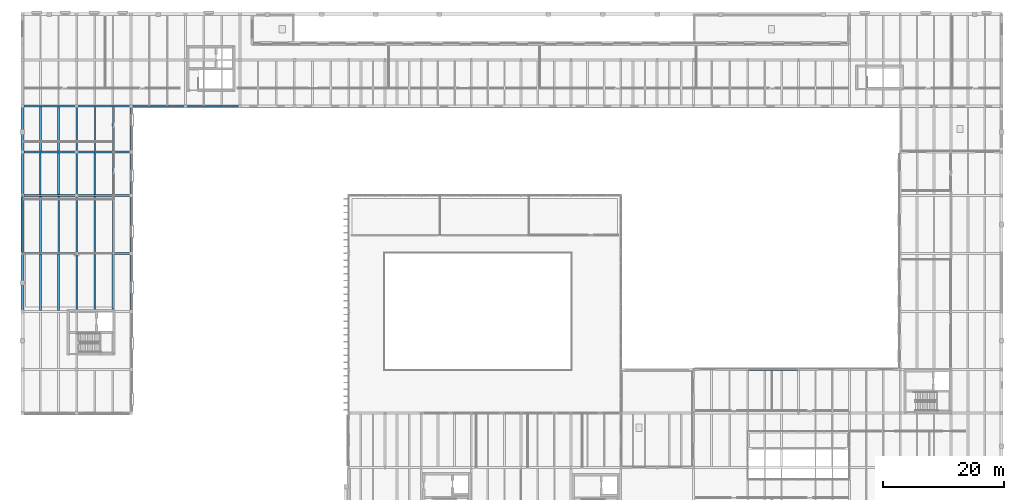
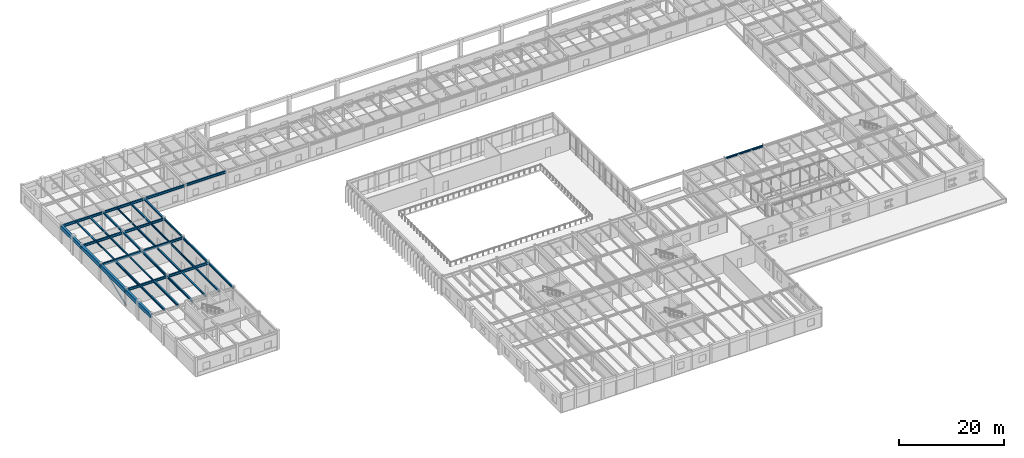
# One storey, part 24 of 64: 39 beams, 1 member.
"""IFC4 building model written with IfcOpenShell, lengths in metres."""

from ifc_helpers import new_model, si_unit, direction, frame, origin, origin_2d, place, context, subcontext, project, spatial, rectangle, hollow_circle, i_section, extrude, material, material_profile, profile_set, type_object, element, save


model = new_model("IFC4")

# Units and contexts
model_context = context("Model", 3, precision=1e-05, world=origin(), true_north=direction((0.0, 1.0)))
body_context = subcontext(model_context, "Body", "Model", "MODEL_VIEW")
ifc_project = project(units=[si_unit("LENGTHUNIT", "METRE"), si_unit("AREAUNIT", "SQUARE_METRE"), si_unit("VOLUMEUNIT", "CUBIC_METRE"), si_unit("PLANEANGLEUNIT", "RADIAN"), si_unit("MASSUNIT", "GRAM", prefix="KILO")], contexts=[model_context])

# Site, building, storey
site_placement = place(None, origin())
site = spatial("IfcSite", under=ifc_project, at=site_placement, CompositionType="ELEMENT")
building_placement = place(site_placement, origin())
building = spatial("IfcBuilding", under=site, at=building_placement, Name="Montealbar Specialist Clinic", CompositionType="ELEMENT")
storey_placement = place(building_placement, frame((0.0, 0.0, 5.10009765625)))
storey = spatial("IfcBuildingStorey", under=building, at=storey_placement, Name="L01", CompositionType="ELEMENT", Elevation=5.10009765625)

# Beams
ifc_material_1 = material(Name="Precast concrete C40/50", Category="concrete")
ifc_material_profile_1 = material_profile(ifc_material_1, rectangle(XDim=0.5, YDim=0.89990234375, at=origin_2d()), Name="PRECAST CORNICE 500x900", Category="concrete")
ifc_profile_set_1 = profile_set([ifc_material_profile_1], Name="Precast concrete C40/50")
beam_type_1 = type_object("IfcBeamType", Name="BM-CORNICE-PM900-EXT", PredefinedType="SPANDREL", material=ifc_profile_set_1)
beam_1_placement = place(storey_placement, frame((0.0, 61.800048828125, 3.72998046875), z_axis=(0.0, 1.0, 0.0), x_axis=(-1.0, 0.0, 0.0)))
element("IfcBeam", 1, at=beam_1_placement, inside=storey, type_object=beam_type_1, Name="Postmodern Entablature Cornice L01 X=0.0 Y=61.8-71.4", PredefinedType="SPANDREL", context=body_context, shape_type="SweptSolid", body=[
    extrude(rectangle(XDim=0.5, YDim=0.89990234375, at=origin_2d()), origin(), (0.0, 0.0, 1.0), 9.599853515625),
])
beam_2_placement = place(storey_placement, frame((0.0, 71.39990234375, 3.72998046875), z_axis=(0.0, 1.0, 0.0), x_axis=(-1.0, 0.0, 0.0)))
element("IfcBeam", 2, at=beam_2_placement, inside=storey, type_object=beam_type_1, Name="Postmodern Entablature Cornice L01 X=0.0 Y=71.4-81.0", PredefinedType="SPANDREL", context=body_context, shape_type="SweptSolid", body=[
    extrude(rectangle(XDim=0.5, YDim=0.89990234375, at=origin_2d()), origin(), (0.0, 0.0, 1.0), 9.60009765625),
])
beam_3_placement = place(storey_placement, frame((0.0, 81.0, 3.72998046875), z_axis=(0.0, 1.0, 0.0), x_axis=(-1.0, 0.0, 0.0)))
element("IfcBeam", 3, at=beam_3_placement, inside=storey, type_object=beam_type_1, Name="Postmodern Entablature Cornice L01 X=0.0 Y=81.0-88.2", PredefinedType="SPANDREL", context=body_context, shape_type="SweptSolid", body=[
    extrude(rectangle(XDim=0.5, YDim=0.89990234375, at=origin_2d()), origin(), (0.0, 0.0, 1.0), 7.199951171875),
])
beam_4_placement = place(storey_placement, frame((0.0, 88.199951171875, 3.72998046875), z_axis=(0.0, 1.0, 0.0), x_axis=(-1.0, 0.0, 0.0)))
element("IfcBeam", 4, at=beam_4_placement, inside=storey, type_object=beam_type_1, Name="Postmodern Entablature Cornice L01 X=0.0 Y=88.2-95.8", PredefinedType="SPANDREL", context=body_context, shape_type="SweptSolid", body=[
    extrude(rectangle(XDim=0.5, YDim=0.89990234375, at=origin_2d()), origin(), (0.0, 0.0, 1.0), 7.60009765625),
])
ifc_material_2 = material(Name="Steel S355", Category="steel")
ifc_material_profile_2 = material_profile(ifc_material_2, i_section(OverallWidth=0.300048828125, OverallDepth=0.360107421875, WebThickness=0.012451171875, FlangeThickness=0.0224609375, FilletRadius=0.027099609375, at=origin_2d()), Name="HEB 360", Category="steel")
ifc_profile_set_2 = profile_set([ifc_material_profile_2], Name="Steel S355")
beam_type_2 = type_object("IfcBeamType", Name="BM-GIRD-HEB360", PredefinedType="BEAM", material=ifc_profile_set_2)
beam_5_placement = place(storey_placement, frame((9.0, 81.0, 4.0), z_axis=(0.0, 1.0, 0.0), x_axis=(-1.0, 0.0, 0.0)))
element("IfcBeam", 5, at=beam_5_placement, inside=storey, type_object=beam_type_2, Name="Beam GY-L01-90-810-882", PredefinedType="BEAM", context=body_context, shape_type="SweptSolid", body=[
    extrude(i_section(OverallWidth=0.300048828125, OverallDepth=0.360107421875, WebThickness=0.012451171875, FlangeThickness=0.0224609375, FilletRadius=0.027099609375, at=origin_2d()), origin(), (0.0, 0.0, 1.0), 7.199951171875),
])
beam_6_placement = place(storey_placement, frame((9.0, 88.199951171875, 4.0), z_axis=(0.0, 1.0, 0.0), x_axis=(-1.0, 0.0, 0.0)))
element("IfcBeam", 6, at=beam_6_placement, inside=storey, type_object=beam_type_2, Name="Beam GY-L01-90-882-958", PredefinedType="BEAM", context=body_context, shape_type="SweptSolid", body=[
    extrude(i_section(OverallWidth=0.300048828125, OverallDepth=0.360107421875, WebThickness=0.012451171875, FlangeThickness=0.0224609375, FilletRadius=0.027099609375, at=origin_2d()), origin(), (0.0, 0.0, 1.0), 7.60009765625),
])
ifc_material_profile_3 = material_profile(ifc_material_2, i_section(OverallWidth=0.300048828125, OverallDepth=0.360107421875, WebThickness=0.012451171875, FlangeThickness=0.0224609375, FilletRadius=0.027099609375, at=origin_2d()), Name="HEB 360", Category="steel")
ifc_profile_set_3 = profile_set([ifc_material_profile_3], Name="Steel S355")
beam_type_3 = type_object("IfcBeamType", Name="BM-GIRD-HEB360-EXT", PredefinedType="BEAM", material=ifc_profile_set_3)
beam_7_placement = place(storey_placement, frame((18.0, 81.0, 4.0), z_axis=(0.0, 1.0, 0.0), x_axis=(-1.0, 0.0, 0.0)))
element("IfcBeam", 7, at=beam_7_placement, inside=storey, type_object=beam_type_3, Name="Beam GY-L01-180-810-882", PredefinedType="BEAM", context=body_context, shape_type="SweptSolid", body=[
    extrude(i_section(OverallWidth=0.300048828125, OverallDepth=0.360107421875, WebThickness=0.012451171875, FlangeThickness=0.0224609375, FilletRadius=0.027099609375, at=origin_2d()), origin(), (0.0, 0.0, 1.0), 7.199951171875),
])
beam_8_placement = place(storey_placement, frame((18.0, 88.199951171875, 4.0), z_axis=(0.0, 1.0, 0.0), x_axis=(-1.0, 0.0, 0.0)))
element("IfcBeam", 8, at=beam_8_placement, inside=storey, type_object=beam_type_3, Name="Beam GY-L01-180-882-958", PredefinedType="BEAM", context=body_context, shape_type="SweptSolid", body=[
    extrude(i_section(OverallWidth=0.300048828125, OverallDepth=0.360107421875, WebThickness=0.012451171875, FlangeThickness=0.0224609375, FilletRadius=0.027099609375, at=origin_2d()), origin(), (0.0, 0.0, 1.0), 7.60009765625),
])
ifc_material_profile_4 = material_profile(ifc_material_2, i_section(OverallWidth=0.300048828125, OverallDepth=0.39990234375, WebThickness=0.013427734375, FlangeThickness=0.02392578125, FilletRadius=0.027099609375, at=origin_2d()), Name="HEB 400", Category="steel")
ifc_profile_set_4 = profile_set([ifc_material_profile_4], Name="Steel S355")
beam_type_4 = type_object("IfcBeamType", Name="BM-GIRD-HEB400-EXT", PredefinedType="BEAM", material=ifc_profile_set_4)
beam_9_placement = place(storey_placement, frame((120.0, 52.199951171875, 4.02001953125), z_axis=(1.0, 0.0, 0.0), x_axis=(0.0, 1.0, 0.0)))
element("IfcBeam", 9, at=beam_9_placement, inside=storey, type_object=beam_type_4, Name="Beam GX-L01-1200-1284-522", PredefinedType="BEAM", context=body_context, shape_type="SweptSolid", body=[
    extrude(i_section(OverallWidth=0.300048828125, OverallDepth=0.39990234375, WebThickness=0.013427734375, FlangeThickness=0.02392578125, FilletRadius=0.027099609375, at=origin_2d()), origin(), (0.0, 0.0, 1.0), 8.39990234375),
])
ifc_material_profile_5 = material_profile(ifc_material_2, i_section(OverallWidth=0.300048828125, OverallDepth=0.5, WebThickness=0.014404296875, FlangeThickness=0.028076171875, FilletRadius=0.027099609375, at=origin_2d()), Name="HEB 500", Category="steel")
ifc_profile_set_5 = profile_set([ifc_material_profile_5], Name="Steel S355")
beam_type_5 = type_object("IfcBeamType", Name="BM-GIRD-HEB500", PredefinedType="BEAM", material=ifc_profile_set_5)
beam_10_placement = place(storey_placement, frame((9.0, 61.800048828125, 3.929931640625), z_axis=(0.0, 1.0, 0.0), x_axis=(-1.0, 0.0, 0.0)))
element("IfcBeam", 10, at=beam_10_placement, inside=storey, type_object=beam_type_5, Name="Beam GY-L01-90-618-714", PredefinedType="BEAM", context=body_context, shape_type="SweptSolid", body=[
    extrude(i_section(OverallWidth=0.300048828125, OverallDepth=0.5, WebThickness=0.014404296875, FlangeThickness=0.028076171875, FilletRadius=0.027099609375, at=origin_2d()), origin(), (0.0, 0.0, 1.0), 9.599853515625),
])
beam_11_placement = place(storey_placement, frame((9.0, 71.39990234375, 3.929931640625), z_axis=(0.0, 1.0, 0.0), x_axis=(-1.0, 0.0, 0.0)))
element("IfcBeam", 11, at=beam_11_placement, inside=storey, type_object=beam_type_5, Name="Beam GY-L01-90-714-810", PredefinedType="BEAM", context=body_context, shape_type="SweptSolid", body=[
    extrude(i_section(OverallWidth=0.300048828125, OverallDepth=0.5, WebThickness=0.014404296875, FlangeThickness=0.028076171875, FilletRadius=0.027099609375, at=origin_2d()), origin(), (0.0, 0.0, 1.0), 9.60009765625),
])
ifc_material_profile_6 = material_profile(ifc_material_2, i_section(OverallWidth=0.300048828125, OverallDepth=0.5, WebThickness=0.014404296875, FlangeThickness=0.028076171875, FilletRadius=0.027099609375, at=origin_2d()), Name="HEB 500", Category="steel")
ifc_profile_set_6 = profile_set([ifc_material_profile_6], Name="Steel S355")
beam_type_6 = type_object("IfcBeamType", Name="BM-GIRD-HEB500-EXT", PredefinedType="BEAM", material=ifc_profile_set_6)
beam_12_placement = place(storey_placement, frame((18.0, 61.800048828125, 3.929931640625), z_axis=(0.0, 1.0, 0.0), x_axis=(-1.0, 0.0, 0.0)))
element("IfcBeam", 12, at=beam_12_placement, inside=storey, type_object=beam_type_6, Name="Beam GY-L01-180-618-714", PredefinedType="BEAM", context=body_context, shape_type="SweptSolid", body=[
    extrude(i_section(OverallWidth=0.300048828125, OverallDepth=0.5, WebThickness=0.014404296875, FlangeThickness=0.028076171875, FilletRadius=0.027099609375, at=origin_2d()), origin(), (0.0, 0.0, 1.0), 9.599853515625),
])
beam_13_placement = place(storey_placement, frame((18.0, 71.39990234375, 3.929931640625), z_axis=(0.0, 1.0, 0.0), x_axis=(-1.0, 0.0, 0.0)))
element("IfcBeam", 13, at=beam_13_placement, inside=storey, type_object=beam_type_6, Name="Beam GY-L01-180-714-810", PredefinedType="BEAM", context=body_context, shape_type="SweptSolid", body=[
    extrude(i_section(OverallWidth=0.300048828125, OverallDepth=0.5, WebThickness=0.014404296875, FlangeThickness=0.028076171875, FilletRadius=0.027099609375, at=origin_2d()), origin(), (0.0, 0.0, 1.0), 9.60009765625),
])
ifc_material_profile_7 = material_profile(ifc_material_2, i_section(OverallWidth=0.300048828125, OverallDepth=0.550048828125, WebThickness=0.014892578125, FlangeThickness=0.029052734375, FilletRadius=0.027099609375, at=origin_2d()), Name="HEB 550", Category="steel")
ifc_profile_set_7 = profile_set([ifc_material_profile_7], Name="Steel S355")
beam_type_7 = type_object("IfcBeamType", Name="BM-GIRD-HEB550", PredefinedType="BEAM", material=ifc_profile_set_7)
for number, where, z_axis, x_axis, name in (
    (14, (0.0, 71.39990234375, 3.90478515625), (1.0, 0.0, 0.0), (0.0, 1.0, 0.0), "Beam GX-L01-0-90-714"),
    (15, (9.0, 71.39990234375, 3.90478515625), (1.0, 0.0, 0.0), (0.0, 1.0, 0.0), "Beam GX-L01-90-180-714"),
    (16, (0.0, 81.0, 3.90478515625), (1.0, 0.0, 0.0), (0.0, 1.0, 0.0), "Beam GX-L01-0-90-810"),
    (17, (9.0, 81.0, 3.90478515625), (1.0, 0.0, 0.0), (0.0, 1.0, 0.0), "Beam GX-L01-90-180-810"),
    (18, (0.0, 88.199951171875, 3.90478515625), (1.0, 0.0, 0.0), (0.0, 1.0, 0.0), "Beam GX-L01-0-90-882"),
    (19, (9.0, 88.199951171875, 3.90478515625), (1.0, 0.0, 0.0), (0.0, 1.0, 0.0), "Beam GX-L01-90-180-882"),
):
    element("IfcBeam", number, at=place(storey_placement, frame(where, z_axis=z_axis, x_axis=x_axis)), inside=storey, type_object=beam_type_7, Name=name, PredefinedType="BEAM", context=body_context, shape_type="SweptSolid", body=[
        extrude(i_section(OverallWidth=0.300048828125, OverallDepth=0.550048828125, WebThickness=0.014892578125, FlangeThickness=0.029052734375, FilletRadius=0.027099609375, at=origin_2d()), origin(), (0.0, 0.0, 1.0), 9.0),
    ])
ifc_material_profile_8 = material_profile(ifc_material_2, i_section(OverallWidth=0.300048828125, OverallDepth=0.550048828125, WebThickness=0.014892578125, FlangeThickness=0.029052734375, FilletRadius=0.027099609375, at=origin_2d()), Name="HEB 550", Category="steel")
ifc_profile_set_8 = profile_set([ifc_material_profile_8], Name="Steel S355")
beam_type_8 = type_object("IfcBeamType", Name="BM-GIRD-HEB550-EXT", PredefinedType="BEAM", material=ifc_profile_set_8)
for number, where, z_axis, x_axis, name in (
    (20, (0.0, 95.800048828125, 3.90478515625), (1.0, 0.0, 0.0), (0.0, 1.0, 0.0), "Beam GX-L01-0-90-958"),
    (21, (9.0, 95.800048828125, 3.90478515625), (1.0, 0.0, 0.0), (0.0, 1.0, 0.0), "Beam GX-L01-90-180-958"),
    (22, (18.0, 95.800048828125, 3.90478515625), (1.0, 0.0, 0.0), (0.0, 1.0, 0.0), "Beam GX-L01-180-270-958"),
    (23, (27.0, 95.800048828125, 3.954833984375), (1.0, 0.0, 0.0), (0.0, 1.0, 0.0), "Beam GX-L01-270-360-958"),
):
    element("IfcBeam", number, at=place(storey_placement, frame(where, z_axis=z_axis, x_axis=x_axis)), inside=storey, type_object=beam_type_8, Name=name, PredefinedType="BEAM", context=body_context, shape_type="SweptSolid", body=[
        extrude(i_section(OverallWidth=0.300048828125, OverallDepth=0.550048828125, WebThickness=0.014892578125, FlangeThickness=0.029052734375, FilletRadius=0.027099609375, at=origin_2d()), origin(), (0.0, 0.0, 1.0), 9.0),
    ])
ifc_material_profile_9 = material_profile(ifc_material_2, i_section(OverallWidth=0.300048828125, OverallDepth=0.43994140625, WebThickness=0.011474609375, FlangeThickness=0.02099609375, FilletRadius=0.027099609375, at=origin_2d()), Name="HEA 450", Category="steel")
ifc_profile_set_9 = profile_set([ifc_material_profile_9], Name="Steel S355")
beam_type_9 = type_object("IfcBeamType", Name="BM-JST-HEA450", PredefinedType="JOIST", material=ifc_profile_set_9)
beam_14_placement = place(storey_placement, frame((3.0, 61.949951171875, 3.9599609375), z_axis=(0.0, 1.0, 0.0), x_axis=(-1.0, 0.0, 0.0)))
element("IfcBeam", 24, at=beam_14_placement, inside=storey, type_object=beam_type_9, Name="Beam JST-L01-30-620-712", PredefinedType="JOIST", context=body_context, shape_type="SweptSolid", body=[
    extrude(i_section(OverallWidth=0.300048828125, OverallDepth=0.43994140625, WebThickness=0.011474609375, FlangeThickness=0.02099609375, FilletRadius=0.027099609375, at=origin_2d()), origin(), (0.0, 0.0, 1.0), 9.300048828125),
])
ifc_material_profile_10 = material_profile(ifc_material_2, i_section(OverallWidth=0.300048828125, OverallDepth=0.489990234375, WebThickness=0.011962890625, FlangeThickness=0.02294921875, FilletRadius=0.027099609375, at=origin_2d()), Name="HEA 500", Category="steel")
ifc_profile_set_10 = profile_set([ifc_material_profile_10], Name="Steel S355")
beam_type_10 = type_object("IfcBeamType", Name="BM-JST-HEA500", PredefinedType="JOIST", material=ifc_profile_set_10)
for number, where, z_axis, x_axis, name in (
    (25, (6.0, 61.949951171875, 3.934814453125), (0.0, 1.0, 0.0), (-1.0, 0.0, 0.0), "Beam JST-L01-60-620-712"),
    (26, (3.0, 71.550048828125, 3.934814453125), (0.0, 1.0, 0.0), (-1.0, 0.0, 0.0), "Beam JST-L01-30-716-808"),
):
    element("IfcBeam", number, at=place(storey_placement, frame(where, z_axis=z_axis, x_axis=x_axis)), inside=storey, type_object=beam_type_10, Name=name, PredefinedType="JOIST", context=body_context, shape_type="SweptSolid", body=[
        extrude(i_section(OverallWidth=0.300048828125, OverallDepth=0.489990234375, WebThickness=0.011962890625, FlangeThickness=0.02294921875, FilletRadius=0.027099609375, at=origin_2d()), origin(), (0.0, 0.0, 1.0), 9.300048828125),
    ])
ifc_material_profile_11 = material_profile(ifc_material_2, i_section(OverallWidth=0.239990234375, OverallDepth=0.239990234375, WebThickness=0.010009765625, FlangeThickness=0.01708984375, FilletRadius=0.02099609375, at=origin_2d()), Name="HEB 240", Category="steel")
ifc_profile_set_11 = profile_set([ifc_material_profile_11], Name="Steel S355")
beam_type_11 = type_object("IfcBeamType", Name="BM-JST-HEB240", PredefinedType="JOIST", material=ifc_profile_set_11)
beam_15_placement = place(storey_placement, frame((6.0, 71.550048828125, 4.059814453125), z_axis=(0.0, 1.0, 0.0), x_axis=(-1.0, 0.0, 0.0)))
element("IfcBeam", 27, at=beam_15_placement, inside=storey, type_object=beam_type_11, Name="Beam JST-L01-60-716-808", PredefinedType="JOIST", context=body_context, shape_type="SweptSolid", body=[
    extrude(i_section(OverallWidth=0.239990234375, OverallDepth=0.239990234375, WebThickness=0.010009765625, FlangeThickness=0.01708984375, FilletRadius=0.02099609375, at=origin_2d()), origin(), (0.0, 0.0, 1.0), 9.300048828125),
])
beam_16_placement = place(storey_placement, frame((3.0, 81.14990234375, 4.059814453125), z_axis=(0.0, 1.0, 0.0), x_axis=(-1.0, 0.0, 0.0)))
element("IfcBeam", 28, at=beam_16_placement, inside=storey, type_object=beam_type_11, Name="Beam JST-L01-30-812-880", PredefinedType="JOIST", context=body_context, shape_type="SweptSolid", body=[
    extrude(i_section(OverallWidth=0.239990234375, OverallDepth=0.239990234375, WebThickness=0.010009765625, FlangeThickness=0.01708984375, FilletRadius=0.02099609375, at=origin_2d()), origin(), (0.0, 0.0, 1.0), 6.900146484375),
])
ifc_material_profile_12 = material_profile(ifc_material_2, i_section(OverallWidth=0.280029296875, OverallDepth=0.280029296875, WebThickness=0.010498046875, FlangeThickness=0.01806640625, FilletRadius=0.02392578125, at=origin_2d()), Name="HEB 280", Category="steel")
ifc_profile_set_12 = profile_set([ifc_material_profile_12], Name="Steel S355")
beam_type_12 = type_object("IfcBeamType", Name="BM-JST-HEB280", PredefinedType="JOIST", material=ifc_profile_set_12)
beam_17_placement = place(storey_placement, frame((6.0, 81.14990234375, 4.039794921875), z_axis=(0.0, 1.0, 0.0), x_axis=(-1.0, 0.0, 0.0)))
element("IfcBeam", 29, at=beam_17_placement, inside=storey, type_object=beam_type_12, Name="Beam JST-L01-60-812-880", PredefinedType="JOIST", context=body_context, shape_type="SweptSolid", body=[
    extrude(i_section(OverallWidth=0.280029296875, OverallDepth=0.280029296875, WebThickness=0.010498046875, FlangeThickness=0.01806640625, FilletRadius=0.02392578125, at=origin_2d()), origin(), (0.0, 0.0, 1.0), 6.900146484375),
])
beam_18_placement = place(storey_placement, frame((3.0, 88.35009765625, 4.039794921875), z_axis=(0.0, 1.0, 0.0), x_axis=(-1.0, 0.0, 0.0)))
element("IfcBeam", 30, at=beam_18_placement, inside=storey, type_object=beam_type_12, Name="Beam JST-L01-30-884-956", PredefinedType="JOIST", context=body_context, shape_type="SweptSolid", body=[
    extrude(i_section(OverallWidth=0.280029296875, OverallDepth=0.280029296875, WebThickness=0.010498046875, FlangeThickness=0.01806640625, FilletRadius=0.02392578125, at=origin_2d()), origin(), (0.0, 0.0, 1.0), 7.2998046875),
])
beam_19_placement = place(storey_placement, frame((12.0, 61.949951171875, 4.039794921875), z_axis=(0.0, 1.0, 0.0), x_axis=(-1.0, 0.0, 0.0)))
element("IfcBeam", 31, at=beam_19_placement, inside=storey, type_object=beam_type_12, Name="Beam JST-L01-120-620-712", PredefinedType="JOIST", context=body_context, shape_type="SweptSolid", body=[
    extrude(i_section(OverallWidth=0.280029296875, OverallDepth=0.280029296875, WebThickness=0.010498046875, FlangeThickness=0.01806640625, FilletRadius=0.02392578125, at=origin_2d()), origin(), (0.0, 0.0, 1.0), 9.300048828125),
])
ifc_material_profile_13 = material_profile(ifc_material_2, i_section(OverallWidth=0.300048828125, OverallDepth=0.320068359375, WebThickness=0.011474609375, FlangeThickness=0.0205078125, FilletRadius=0.027099609375, at=origin_2d()), Name="HEB 320", Category="steel")
ifc_profile_set_13 = profile_set([ifc_material_profile_13], Name="Steel S355")
beam_type_13 = type_object("IfcBeamType", Name="BM-JST-HEB320", PredefinedType="JOIST", material=ifc_profile_set_13)
beam_20_placement = place(storey_placement, frame((6.0, 88.35009765625, 4.02001953125), z_axis=(0.0, 1.0, 0.0), x_axis=(-1.0, 0.0, 0.0)))
element("IfcBeam", 32, at=beam_20_placement, inside=storey, type_object=beam_type_13, Name="Beam JST-L01-60-884-956", PredefinedType="JOIST", context=body_context, shape_type="SweptSolid", body=[
    extrude(i_section(OverallWidth=0.300048828125, OverallDepth=0.320068359375, WebThickness=0.011474609375, FlangeThickness=0.0205078125, FilletRadius=0.027099609375, at=origin_2d()), origin(), (0.0, 0.0, 1.0), 7.2998046875),
])
for number, where, z_axis, x_axis, name in (
    (33, (15.0, 61.949951171875, 4.02001953125), (0.0, 1.0, 0.0), (-1.0, 0.0, 0.0), "Beam JST-L01-150-620-712"),
    (34, (12.0, 71.550048828125, 4.02001953125), (0.0, 1.0, 0.0), (-1.0, 0.0, 0.0), "Beam JST-L01-120-716-808"),
):
    element("IfcBeam", number, at=place(storey_placement, frame(where, z_axis=z_axis, x_axis=x_axis)), inside=storey, type_object=beam_type_13, Name=name, PredefinedType="JOIST", context=body_context, shape_type="SweptSolid", body=[
        extrude(i_section(OverallWidth=0.300048828125, OverallDepth=0.320068359375, WebThickness=0.011474609375, FlangeThickness=0.0205078125, FilletRadius=0.027099609375, at=origin_2d()), origin(), (0.0, 0.0, 1.0), 9.300048828125),
    ])
ifc_material_profile_14 = material_profile(ifc_material_2, i_section(OverallWidth=0.179931640625, OverallDepth=0.39990234375, WebThickness=0.008544921875, FlangeThickness=0.013427734375, FilletRadius=0.02099609375, at=origin_2d()), Name="IPE 400", Category="steel")
ifc_profile_set_14 = profile_set([ifc_material_profile_14], Name="Steel S355")
beam_type_14 = type_object("IfcBeamType", Name="BM-SEC-IPE400", PredefinedType="BEAM", material=ifc_profile_set_14)
beam_21_placement = place(storey_placement, frame((15.0, 81.14990234375, 3.97998046875), z_axis=(0.0, 1.0, 0.0), x_axis=(-1.0, 0.0, 0.0)))
element("IfcBeam", 35, at=beam_21_placement, inside=storey, type_object=beam_type_14, Name="Beam JST-L01-150-812-880", PredefinedType="BEAM", context=body_context, shape_type="SweptSolid", body=[
    extrude(i_section(OverallWidth=0.179931640625, OverallDepth=0.39990234375, WebThickness=0.008544921875, FlangeThickness=0.013427734375, FilletRadius=0.02099609375, at=origin_2d()), origin(), (0.0, 0.0, 1.0), 6.900146484375),
])
beam_22_placement = place(storey_placement, frame((12.0, 88.35009765625, 3.97998046875), z_axis=(0.0, 1.0, 0.0), x_axis=(-1.0, 0.0, 0.0)))
element("IfcBeam", 36, at=beam_22_placement, inside=storey, type_object=beam_type_14, Name="Beam JST-L01-120-884-956", PredefinedType="BEAM", context=body_context, shape_type="SweptSolid", body=[
    extrude(i_section(OverallWidth=0.179931640625, OverallDepth=0.39990234375, WebThickness=0.008544921875, FlangeThickness=0.013427734375, FilletRadius=0.02099609375, at=origin_2d()), origin(), (0.0, 0.0, 1.0), 7.2998046875),
])
ifc_material_profile_15 = material_profile(ifc_material_2, i_section(OverallWidth=0.18994140625, OverallDepth=0.449951171875, WebThickness=0.009521484375, FlangeThickness=0.0146484375, FilletRadius=0.02099609375, at=origin_2d()), Name="IPE 450", Category="steel")
ifc_profile_set_15 = profile_set([ifc_material_profile_15], Name="Steel S355")
beam_type_15 = type_object("IfcBeamType", Name="BM-SEC-IPE450", PredefinedType="BEAM", material=ifc_profile_set_15)
beam_23_placement = place(storey_placement, frame((15.0, 71.550048828125, 3.954833984375), z_axis=(0.0, 1.0, 0.0), x_axis=(-1.0, 0.0, 0.0)))
element("IfcBeam", 37, at=beam_23_placement, inside=storey, type_object=beam_type_15, Name="Beam JST-L01-150-716-808", PredefinedType="BEAM", context=body_context, shape_type="SweptSolid", body=[
    extrude(i_section(OverallWidth=0.18994140625, OverallDepth=0.449951171875, WebThickness=0.009521484375, FlangeThickness=0.0146484375, FilletRadius=0.02099609375, at=origin_2d()), origin(), (0.0, 0.0, 1.0), 9.300048828125),
])
beam_24_placement = place(storey_placement, frame((12.0, 81.14990234375, 3.954833984375), z_axis=(0.0, 1.0, 0.0), x_axis=(-1.0, 0.0, 0.0)))
element("IfcBeam", 38, at=beam_24_placement, inside=storey, type_object=beam_type_15, Name="Beam JST-L01-120-812-880", PredefinedType="BEAM", context=body_context, shape_type="SweptSolid", body=[
    extrude(i_section(OverallWidth=0.18994140625, OverallDepth=0.449951171875, WebThickness=0.009521484375, FlangeThickness=0.0146484375, FilletRadius=0.02099609375, at=origin_2d()), origin(), (0.0, 0.0, 1.0), 6.900146484375),
])
ifc_material_profile_16 = material_profile(ifc_material_2, i_section(OverallWidth=0.300048828125, OverallDepth=0.2900390625, WebThickness=0.008544921875, FlangeThickness=0.013916015625, FilletRadius=0.027099609375, at=origin_2d()), Name="HEA 300", Category="steel")
ifc_profile_set_16 = profile_set([ifc_material_profile_16], Name="Steel S355")
beam_type_16 = type_object("IfcBeamType", Name="BM-SPAND-HEA300", PredefinedType="SPANDREL", material=ifc_profile_set_16)
beam_25_placement = place(storey_placement, frame((15.0, 88.35009765625, 4.034912109375), z_axis=(0.0, 1.0, 0.0), x_axis=(-1.0, 0.0, 0.0)))
element("IfcBeam", 39, at=beam_25_placement, inside=storey, type_object=beam_type_16, Name="Beam JST-L01-150-884-956", PredefinedType="SPANDREL", context=body_context, shape_type="SweptSolid", body=[
    extrude(i_section(OverallWidth=0.300048828125, OverallDepth=0.2900390625, WebThickness=0.008544921875, FlangeThickness=0.013916015625, FilletRadius=0.027099609375, at=origin_2d()), origin(), (0.0, 0.0, 1.0), 7.2998046875),
])

# Member
ifc_material_profile_17 = material_profile(ifc_material_2, hollow_circle(Radius=0.136474609375, WallThickness=0.012451171875, at=origin_2d()), Name="CHS 273.0x12.5", Category="steel")
ifc_profile_set_17 = profile_set([ifc_material_profile_17], Name="Steel S355")
member_type = type_object("IfcMemberType", Name="MB-LAT-BRACE-A-EXT", PredefinedType="BRACE", material=ifc_profile_set_17)
member_placement = place(storey_placement, frame((0.0, 71.39990234375, 0.3798828125), z_axis=(0.0, 0.930799246413, 0.365530796071), x_axis=(-1.0, 0.0, 0.0)))
element("IfcMember", 40, at=member_placement, inside=storey, type_object=member_type, Name="Lateral frame brace LB-03", PredefinedType="BRACE", context=body_context, shape_type="SweptSolid", body=[
    extrude(hollow_circle(Radius=0.136474609375, WallThickness=0.012451171875, at=origin_2d()), origin(), (0.0, 0.0, 1.0), 10.313720703125),
])

save(model, "model.ifc")
